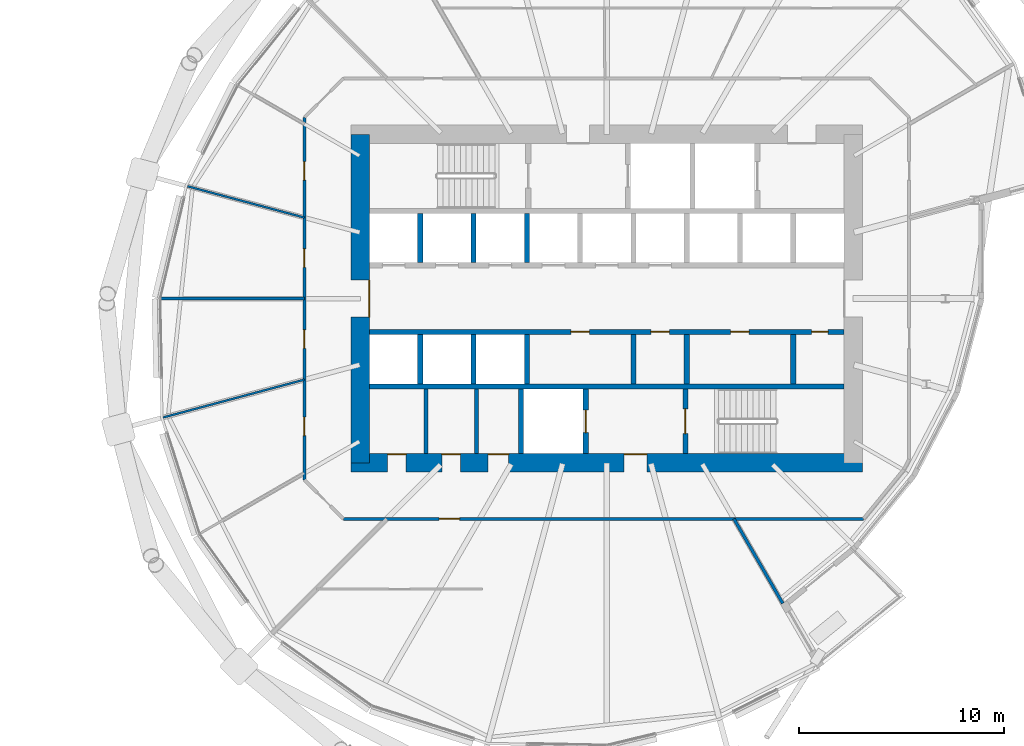
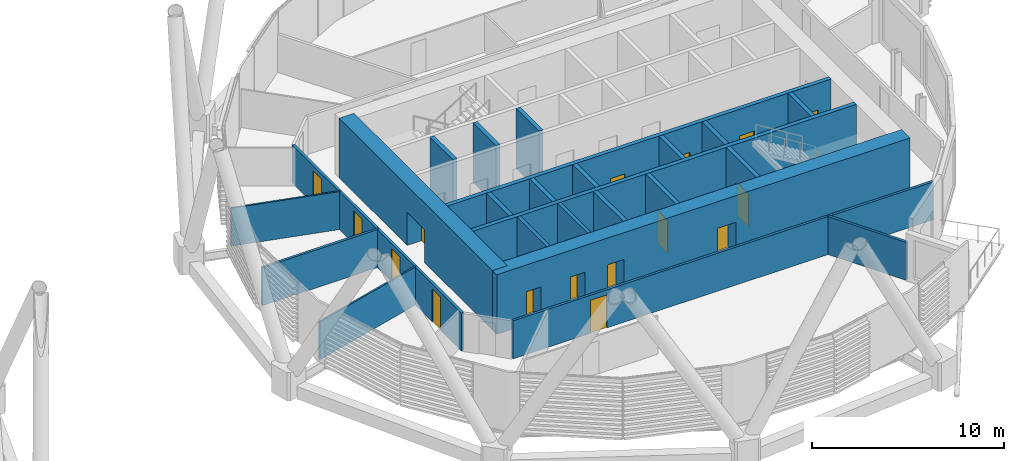
# One storey, part 28 of 40: 24 walls, 16 doors, 16 openings.
"""IFC4 building model written with IfcOpenShell, lengths in metres."""

from ifc_helpers import new_model, si_unit, direction, frame, frame_2d, origin, place, context, subcontext, project, spatial, rectangle, extrude, material, layer, layer_set, type_object, element, fill, save


model = new_model("IFC4")

# Units and contexts
model_context = context("Model", 3, precision=1e-05, world=origin(), true_north=direction((0.0, 1.0)))
body_context = subcontext(model_context, "Body", "Model", "MODEL_VIEW")
ifc_project = project(units=[si_unit("LENGTHUNIT", "METRE"), si_unit("AREAUNIT", "SQUARE_METRE"), si_unit("VOLUMEUNIT", "CUBIC_METRE"), si_unit("PLANEANGLEUNIT", "RADIAN"), si_unit("MASSUNIT", "GRAM", prefix="KILO")], contexts=[model_context])

# Site, building, storey
site_placement = place(None, origin())
site = spatial("IfcSite", under=ifc_project, at=site_placement, CompositionType="ELEMENT")
building_placement = place(site_placement, origin())
building = spatial("IfcBuilding", under=site, at=building_placement, Name="Rimbun Link Towers", CompositionType="ELEMENT")
storey_placement = place(building_placement, frame((0.0, 0.0, 52.800048828125)))
storey = spatial("IfcBuildingStorey", under=building, at=storey_placement, Name="L12", CompositionType="ELEMENT", Elevation=52.800048828125)

# Walls
ifc_material_1 = material(Name="Masonry blockwork", Category="masonry")
ifc_layer_1 = layer(ifc_material_1, 0.199951171875)
ifc_layer_set_1 = layer_set([ifc_layer_1], Name="Core partition 200")
wall_type_1 = type_object("IfcWallType", Name="Core partition 200", PredefinedType="PARTITIONING", material=ifc_layer_set_1)
for number, where, z_axis, x_axis, name in (
    (1, (22.949951171875, -4.39990234375, 0.0), (0.0, 0.0, 1.0), (0.0, -1.0, 0.0), "L12 T2 core wall C1"),
    (2, (25.39990234375, -4.39990234375, 0.0), (0.0, 0.0, 1.0), (0.0, -1.0, 0.0), "L12 T2 core wall C2"),
):
    element("IfcWall", number, at=place(storey_placement, frame(where, z_axis=z_axis, x_axis=x_axis)), inside=storey, type_object=wall_type_1, Name=name, PredefinedType="PARTITIONING", context=body_context, shape_type="SweptSolid", body=[
        extrude(rectangle(XDim=3.150146484375, YDim=0.199951171875, at=frame_2d((1.5751953125, 0.0))), origin(), (0.0, 0.0, 1.0), 3.800048828125),
    ])

# Wall, openings, doors
ifc_material_2 = material(Name="Concrete C60/75", Category="concrete")
ifc_layer_2 = layer(ifc_material_2, 0.89990234375)
ifc_layer_set_2 = layer_set([ifc_layer_2], Name="Core shear wall 900")
wall_type_2 = type_object("IfcWallType", Name="Core shear wall 900", PredefinedType="SHEAR", material=ifc_layer_set_2)
wall_1_placement = place(storey_placement, frame((19.300048828125, -8.0, 0.0), z_axis=(0.0, 0.0, 1.0), x_axis=(1.0, 0.0, 0.0)))
wall_1 = element("IfcWall", 3, at=wall_1_placement, inside=storey, type_object=wall_type_2, Name="L12 T2 core wall S", PredefinedType="SHEAR", context=body_context, shape_type="SweptSolid", body=[
    extrude(rectangle(XDim=24.89990234375, YDim=0.89990234375, at=frame_2d((12.449951171875, 0.0))), origin(), (0.0, 0.0, 1.0), 3.800048828125),
])
opening_1_placement = place(wall_1_placement, frame((13.300048828125, 0.0, 0.0)))
opening_1 = element("IfcOpeningElement", 4, at=opening_1_placement, cuts=wall_1, Name="Opening C2DCF01S", PredefinedType="OPENING", context=body_context, shape_type="SweptSolid", body=[
    extrude(rectangle(XDim=1.10009765625, YDim=2.10009765625, at=frame_2d((0.550048828125, 1.050048828125))), frame((0.0, 0.4599609375, 0.0), z_axis=(0.0, -1.0, 0.0), x_axis=(1.0, 0.0, 0.0)), (0.0, 0.0, 1.0), 0.919921875),
])
opening_2_placement = place(wall_1_placement, frame((1.77490234375, 0.0, 0.0)))
opening_2 = element("IfcOpeningElement", 5, at=opening_2_placement, cuts=wall_1, Name="Opening C2DWC02S", PredefinedType="OPENING", context=body_context, shape_type="SweptSolid", body=[
    extrude(rectangle(XDim=0.89990234375, YDim=2.10009765625, at=frame_2d((0.449951171875, 1.050048828125))), frame((0.0, 0.4599609375, 0.0), z_axis=(0.0, -1.0, 0.0), x_axis=(1.0, 0.0, 0.0)), (0.0, 0.0, 1.0), 0.919921875),
])
opening_3_placement = place(wall_1_placement, frame((4.425048828125, 0.0, 0.0)))
opening_3 = element("IfcOpeningElement", 6, at=opening_3_placement, cuts=wall_1, Name="Opening C2DWC03S", PredefinedType="OPENING", context=body_context, shape_type="SweptSolid", body=[
    extrude(rectangle(XDim=0.89990234375, YDim=2.10009765625, at=frame_2d((0.449951171875, 1.050048828125))), frame((0.0, 0.4599609375, 0.0), z_axis=(0.0, -1.0, 0.0), x_axis=(1.0, 0.0, 0.0)), (0.0, 0.0, 1.0), 0.919921875),
])
opening_4_placement = place(wall_1_placement, frame((6.675048828125, 0.0, 0.0)))
opening_4 = element("IfcOpeningElement", 7, at=opening_4_placement, cuts=wall_1, Name="Opening C2DAW04S", PredefinedType="OPENING", context=body_context, shape_type="SweptSolid", body=[
    extrude(rectangle(XDim=1.0, YDim=2.10009765625, at=frame_2d((0.5, 1.050048828125))), frame((0.0, 0.4599609375, 0.0), z_axis=(0.0, -1.0, 0.0), x_axis=(1.0, 0.0, 0.0)), (0.0, 0.0, 1.0), 0.919921875),
])
ifc_material_3 = material(Name="Timber", Category="wood")
door_type_1 = type_object("IfcDoorType", Name="Accessible WC door", OperationType="SINGLE_SWING_LEFT", PredefinedType="DOOR", material=ifc_material_3)
door_1_placement = place(opening_4_placement, origin())
door_1 = element("IfcDoor", 8, at=door_1_placement, inside=storey, type_object=door_type_1, Name="L12 T2 accessible wc door", OperationType="SINGLE_SWING_RIGHT", OverallHeight=2.10009765625, OverallWidth=1.0, PredefinedType="DOOR", context=body_context, shape_type="SweptSolid", body=[
    extrude(rectangle(XDim=1.0, YDim=2.10009765625, at=frame_2d((0.5, 1.050048828125))), frame((0.0, 0.4501953125, 0.0), z_axis=(0.0, -1.0, 0.0), x_axis=(1.0, 0.0, 0.0)), (0.0, 0.0, 1.0), 0.050048828125),
])
fill(opening_4, door_1)
ifc_material_4 = material(Name="Steel fire door set", Category="steel")
door_type_2 = type_object("IfcDoorType", Name="Core fire door single", OperationType="SINGLE_SWING_LEFT", PredefinedType="DOOR", material=ifc_material_4)
door_2_placement = place(opening_1_placement, origin())
door_2 = element("IfcDoor", 9, at=door_2_placement, inside=storey, type_object=door_type_2, Name="L12 T2 firefighting lobby s door", OperationType="SINGLE_SWING_LEFT", OverallHeight=2.10009765625, OverallWidth=1.10009765625, PredefinedType="DOOR", context=body_context, shape_type="SweptSolid", body=[
    extrude(rectangle(XDim=1.10009765625, YDim=2.10009765625, at=frame_2d((0.550048828125, 1.050048828125))), frame((0.0, 0.4501953125, 0.0), z_axis=(0.0, -1.0, 0.0), x_axis=(1.0, 0.0, 0.0)), (0.0, 0.0, 1.0), 0.050048828125),
])
fill(opening_1, door_2)
ifc_material_5 = material(Name="Timber", Category="wood")
door_type_3 = type_object("IfcDoorType", Name="WC door", OperationType="SINGLE_SWING_LEFT", PredefinedType="DOOR", material=ifc_material_5)
door_3_placement = place(opening_2_placement, origin())
door_3 = element("IfcDoor", 10, at=door_3_placement, inside=storey, type_object=door_type_3, Name="L12 T2 male wc door", OperationType="SINGLE_SWING_RIGHT", OverallHeight=2.10009765625, OverallWidth=0.89990234375, PredefinedType="DOOR", context=body_context, shape_type="SweptSolid", body=[
    extrude(rectangle(XDim=0.89990234375, YDim=2.10009765625, at=frame_2d((0.449951171875, 1.050048828125))), frame((0.0, 0.4501953125, 0.0), z_axis=(0.0, -1.0, 0.0), x_axis=(1.0, 0.0, 0.0)), (0.0, 0.0, 1.0), 0.050048828125),
])
fill(opening_2, door_3)
door_4_placement = place(opening_3_placement, origin())
door_4 = element("IfcDoor", 11, at=door_4_placement, inside=storey, type_object=door_type_3, Name="L12 T2 female wc door", OperationType="SINGLE_SWING_RIGHT", OverallHeight=2.10009765625, OverallWidth=0.89990234375, PredefinedType="DOOR", context=body_context, shape_type="SweptSolid", body=[
    extrude(rectangle(XDim=0.89990234375, YDim=2.10009765625, at=frame_2d((0.449951171875, 1.050048828125))), frame((0.0, 0.4501953125, 0.0), z_axis=(0.0, -1.0, 0.0), x_axis=(1.0, 0.0, 0.0)), (0.0, 0.0, 1.0), 0.050048828125),
])
fill(opening_3, door_4)

# Wall, opening, door
wall_2_placement = place(storey_placement, frame((19.75, -8.0, 0.0), z_axis=(0.0, 0.0, 1.0), x_axis=(0.0, 1.0, 0.0)))
wall_2 = element("IfcWall", 12, at=wall_2_placement, inside=storey, type_object=wall_type_2, Name="L12 T2 core wall W", PredefinedType="SHEAR", context=body_context, shape_type="SweptSolid", body=[
    extrude(rectangle(XDim=16.0, YDim=0.89990234375, at=frame_2d((8.0, 0.0))), origin(), (0.0, 0.0, 1.0), 3.800048828125),
])
opening_5_placement = place(wall_2_placement, frame((7.10009765625, 0.0, 0.0)))
opening_5 = element("IfcOpeningElement", 13, at=opening_5_placement, cuts=wall_2, Name="Opening C2DCL01W", PredefinedType="OPENING", context=body_context, shape_type="SweptSolid", body=[
    extrude(rectangle(XDim=1.800048828125, YDim=2.10009765625, at=frame_2d((0.89990234375, 1.050048828125))), frame((0.0, 0.4599609375, 0.0), z_axis=(0.0, -1.0, 0.0), x_axis=(1.0, 0.0, 0.0)), (0.0, 0.0, 1.0), 0.919921875),
])
ifc_material_6 = material(Name="Steel fire door set", Category="steel")
door_type_4 = type_object("IfcDoorType", Name="Core lobby door double", OperationType="DOUBLE_DOOR_SINGLE_SWING", PredefinedType="DOOR", material=ifc_material_6)
door_5_placement = place(opening_5_placement, origin())
door_5 = element("IfcDoor", 14, at=door_5_placement, inside=storey, type_object=door_type_4, Name="L12 T2 lift lobby door", OperationType="DOUBLE_DOOR_SINGLE_SWING", OverallHeight=2.10009765625, OverallWidth=1.800048828125, PredefinedType="DOOR", context=body_context, shape_type="SweptSolid", body=[
    extrude(rectangle(XDim=1.800048828125, YDim=2.10009765625, at=frame_2d((0.89990234375, 1.050048828125))), frame((0.0, -0.39990234375, 0.0), z_axis=(0.0, -1.0, 0.0), x_axis=(1.0, 0.0, 0.0)), (0.0, 0.0, 1.0), 0.050048828125),
])
fill(opening_5, door_5)

ifc_material_7 = material(Name="Plasterboard on steel stud, mineral wool", Category="steel")
ifc_layer_3 = layer(ifc_material_7, 0.14990234375)
ifc_layer_set_3 = layer_set([ifc_layer_3], Name="Corridor wall EI 30 150 mm")
wall_type_3 = type_object("IfcWallType", Name="Corridor wall EI 30 150 mm", PredefinedType="PARTITIONING", material=ifc_layer_set_3)
wall_3_placement = place(storey_placement, frame((44.248779296875, -10.72509765625, 0.0), z_axis=(0.0, 0.0, 1.0), x_axis=(-1.0, 0.0, 0.0)))
wall_3 = element("IfcWall", 15, at=wall_3_placement, inside=storey, type_object=wall_type_3, Name="Corridor wall EI 30 150 mm", PredefinedType="PARTITIONING", context=body_context, shape_type="SweptSolid", body=[
    extrude(rectangle(XDim=25.325439453125, YDim=0.14990234375, at=frame_2d((12.66259765625, 0.0))), origin(), (0.0, 0.0, 1.0), 2.419921875),
])
opening_6_placement = place(wall_3_placement, frame((19.66845703125, 0.0, 0.0)))
opening_6 = element("IfcOpeningElement", 16, at=opening_6_placement, cuts=wall_3, Name="Opening D01", PredefinedType="OPENING", context=body_context, shape_type="SweptSolid", body=[
    extrude(rectangle(XDim=1.0, YDim=2.10009765625, at=frame_2d((0.5, 1.050048828125))), frame((0.0, 0.0849609375, 0.0), z_axis=(0.0, -1.0, 0.0), x_axis=(1.0, 0.0, 0.0)), (0.0, 0.0, 1.0), 0.169921875),
])
ifc_material_8 = material(Name="Fire-resisting timber door leaf", Category="wood")
door_type_5 = type_object("IfcDoorType", Name="Fire door FD30S 1000", OperationType="NOTDEFINED", PredefinedType="DOOR", material=ifc_material_8)
door_6_placement = place(opening_6_placement, origin())
door_6 = element("IfcDoor", 17, at=door_6_placement, inside=storey, type_object=door_type_5, Name="Fire door FD30S 1000 to Reception", OperationType="SINGLE_SWING_RIGHT", OverallHeight=2.10009765625, OverallWidth=1.0, PredefinedType="DOOR", context=body_context, shape_type="SweptSolid", body=[
    extrude(rectangle(XDim=1.0, YDim=2.10009765625, at=frame_2d((0.5, 1.050048828125))), frame((0.0, 0.02490234375, 0.0), z_axis=(0.0, -1.0, 0.0), x_axis=(1.0, 0.0, 0.0)), (0.0, 0.0, 1.0), 0.050048828125),
])
fill(opening_6, door_6)

# Wall, openings, doors
wall_4_placement = place(storey_placement, frame((17.02490234375, -8.82666015625, 0.0), z_axis=(0.0, 0.0, 1.0), x_axis=(0.0, 1.0, 0.0)))
wall_4 = element("IfcWall", 18, at=wall_4_placement, inside=storey, type_object=wall_type_3, Name="Corridor wall EI 30 150 mm", PredefinedType="PARTITIONING", context=body_context, shape_type="SweptSolid", body=[
    extrude(rectangle(XDim=17.6533203125, YDim=0.14990234375, at=frame_2d((8.82666015625, 0.0))), origin(), (0.0, 0.0, 1.0), 2.419921875),
])
opening_7_placement = place(wall_4_placement, frame((14.60009765625, 0.0, 0.0)))
opening_7 = element("IfcOpeningElement", 19, at=opening_7_placement, cuts=wall_4, Name="Opening D02", PredefinedType="OPENING", context=body_context, shape_type="SweptSolid", body=[
    extrude(rectangle(XDim=0.89990234375, YDim=2.10009765625, at=frame_2d((0.449951171875, 1.050048828125))), frame((0.0, 0.0849609375, 0.0), z_axis=(0.0, -1.0, 0.0), x_axis=(1.0, 0.0, 0.0)), (0.0, 0.0, 1.0), 0.169921875),
])
opening_8_placement = place(wall_4_placement, frame((10.349609375, 0.0, 0.0)))
opening_8 = element("IfcOpeningElement", 20, at=opening_8_placement, cuts=wall_4, Name="Opening D02", PredefinedType="OPENING", context=body_context, shape_type="SweptSolid", body=[
    extrude(rectangle(XDim=0.89990234375, YDim=2.10009765625, at=frame_2d((0.449951171875, 1.050048828125))), frame((0.0, 0.0849609375, 0.0), z_axis=(0.0, -1.0, 0.0), x_axis=(1.0, 0.0, 0.0)), (0.0, 0.0, 1.0), 0.169921875),
])
opening_9_placement = place(wall_4_placement, frame((6.40380859375, 0.0, 0.0)))
opening_9 = element("IfcOpeningElement", 21, at=opening_9_placement, cuts=wall_4, Name="Opening D02", PredefinedType="OPENING", context=body_context, shape_type="SweptSolid", body=[
    extrude(rectangle(XDim=0.89990234375, YDim=2.10009765625, at=frame_2d((0.449951171875, 1.050048828125))), frame((0.0, 0.0849609375, 0.0), z_axis=(0.0, -1.0, 0.0), x_axis=(1.0, 0.0, 0.0)), (0.0, 0.0, 1.0), 0.169921875),
])
opening_10_placement = place(wall_4_placement, frame((2.1533203125, 0.0, 0.0)))
opening_10 = element("IfcOpeningElement", 22, at=opening_10_placement, cuts=wall_4, Name="Opening D02", PredefinedType="OPENING", context=body_context, shape_type="SweptSolid", body=[
    extrude(rectangle(XDim=0.89990234375, YDim=2.10009765625, at=frame_2d((0.449951171875, 1.050048828125))), frame((0.0, 0.0849609375, 0.0), z_axis=(0.0, -1.0, 0.0), x_axis=(1.0, 0.0, 0.0)), (0.0, 0.0, 1.0), 0.169921875),
])
ifc_material_9 = material(Name="Fire-resisting timber door leaf", Category="wood")
door_type_6 = type_object("IfcDoorType", Name="Fire door FD30S 900", OperationType="NOTDEFINED", PredefinedType="DOOR", material=ifc_material_9)
door_7_placement = place(opening_7_placement, origin())
door_7 = element("IfcDoor", 23, at=door_7_placement, inside=storey, type_object=door_type_6, Name="Fire door FD30S 900 to Cellular office", OperationType="SINGLE_SWING_LEFT", OverallHeight=2.10009765625, OverallWidth=0.89990234375, PredefinedType="DOOR", context=body_context, shape_type="SweptSolid", body=[
    extrude(rectangle(XDim=0.89990234375, YDim=2.10009765625, at=frame_2d((0.449951171875, 1.050048828125))), frame((0.0, 0.02490234375, 0.0), z_axis=(0.0, -1.0, 0.0), x_axis=(1.0, 0.0, 0.0)), (0.0, 0.0, 1.0), 0.050048828125),
])
fill(opening_7, door_7)
door_8_placement = place(opening_8_placement, origin())
door_8 = element("IfcDoor", 24, at=door_8_placement, inside=storey, type_object=door_type_6, Name="Fire door FD30S 900 to Meeting room", OperationType="SINGLE_SWING_RIGHT", OverallHeight=2.10009765625, OverallWidth=0.89990234375, PredefinedType="DOOR", context=body_context, shape_type="SweptSolid", body=[
    extrude(rectangle(XDim=0.89990234375, YDim=2.10009765625, at=frame_2d((0.449951171875, 1.050048828125))), frame((0.0, 0.02490234375, 0.0), z_axis=(0.0, -1.0, 0.0), x_axis=(1.0, 0.0, 0.0)), (0.0, 0.0, 1.0), 0.050048828125),
])
fill(opening_8, door_8)
door_9_placement = place(opening_9_placement, origin())
door_9 = element("IfcDoor", 25, at=door_9_placement, inside=storey, type_object=door_type_6, Name="Fire door FD30S 900 to Cellular office", OperationType="SINGLE_SWING_LEFT", OverallHeight=2.10009765625, OverallWidth=0.89990234375, PredefinedType="DOOR", context=body_context, shape_type="SweptSolid", body=[
    extrude(rectangle(XDim=0.89990234375, YDim=2.10009765625, at=frame_2d((0.449951171875, 1.050048828125))), frame((0.0, 0.02490234375, 0.0), z_axis=(0.0, -1.0, 0.0), x_axis=(1.0, 0.0, 0.0)), (0.0, 0.0, 1.0), 0.050048828125),
])
fill(opening_9, door_9)
door_10_placement = place(opening_10_placement, origin())
door_10 = element("IfcDoor", 26, at=door_10_placement, inside=storey, type_object=door_type_6, Name="Fire door FD30S 900 to Meeting room", OperationType="SINGLE_SWING_RIGHT", OverallHeight=2.10009765625, OverallWidth=0.89990234375, PredefinedType="DOOR", context=body_context, shape_type="SweptSolid", body=[
    extrude(rectangle(XDim=0.89990234375, YDim=2.10009765625, at=frame_2d((0.449951171875, 1.050048828125))), frame((0.0, 0.02490234375, 0.0), z_axis=(0.0, -1.0, 0.0), x_axis=(1.0, 0.0, 0.0)), (0.0, 0.0, 1.0), 0.050048828125),
])
fill(opening_10, door_10)

# Walls
ifc_material_10 = material(Name="Plasterboard on steel stud", Category="steel")
ifc_layer_4 = layer(ifc_material_10, 0.10009765625)
ifc_layer_set_4 = layer_set([ifc_layer_4], Name="Plasterboard partition 100 mm")
wall_type_4 = type_object("IfcWallType", Name="Plasterboard partition 100 mm", PredefinedType="PARTITIONING", material=ifc_layer_set_4)
wall_5_placement = place(storey_placement, frame((11.328369140625, 5.471923828125, 0.0), z_axis=(0.0, 0.0, 1.0), x_axis=(0.965926431796, -0.258816785308, 0.0)))
element("IfcWall", 27, at=wall_5_placement, inside=storey, type_object=wall_type_4, Name="Plasterboard partition 100 mm", PredefinedType="PARTITIONING", context=body_context, shape_type="SweptSolid", body=[
    extrude(rectangle(XDim=5.8974609375, YDim=0.10009765625, at=frame_2d((2.94873046875, 0.0))), origin(), (0.0, 0.0, 1.0), 2.419921875),
])
wall_6_placement = place(storey_placement, frame((10.1416015625, -5.789794921875, 0.0), z_axis=(0.0, 0.0, 1.0), x_axis=(0.965930618531, 0.258801159551, 0.0)))
element("IfcWall", 28, at=wall_6_placement, inside=storey, type_object=wall_type_4, Name="Plasterboard partition 100 mm", PredefinedType="PARTITIONING", context=body_context, shape_type="SweptSolid", body=[
    extrude(rectangle(XDim=7.1259765625, YDim=0.10009765625, at=frame_2d((3.56298828125, 0.0))), origin(), (0.0, 0.0, 1.0), 2.419921875),
])
ifc_material_11 = material(Name="Concrete C60/75", Category="concrete")
ifc_layer_5 = layer(ifc_material_11, 0.25)
ifc_layer_set_5 = layer_set([ifc_layer_5], Name="Shaft wall 250")
wall_type_5 = type_object("IfcWallType", Name="Shaft wall 250", PredefinedType="SHEAR", material=ifc_layer_set_5)
wall_7_placement = place(storey_placement, frame((20.199951171875, -4.27490234375, 0.0), z_axis=(0.0, 0.0, 1.0), x_axis=(1.0, 0.0, 0.0)))
element("IfcWall", 29, at=wall_7_placement, inside=storey, type_object=wall_type_5, Name="L12 T2 core wall BS", PredefinedType="SHEAR", context=body_context, shape_type="SweptSolid", body=[
    extrude(rectangle(XDim=23.10009765625, YDim=0.25, at=frame_2d((11.550048828125, 0.0))), origin(), (0.0, 0.0, 1.0), 3.800048828125),
])

# Wall, openings, doors
wall_8_placement = place(storey_placement, frame((20.199951171875, -1.625, 0.0), z_axis=(0.0, 0.0, 1.0), x_axis=(1.0, 0.0, 0.0)))
wall_8 = element("IfcWall", 30, at=wall_8_placement, inside=storey, type_object=wall_type_5, Name="L12 T2 core wall FS", PredefinedType="SHEAR", context=body_context, shape_type="SweptSolid", body=[
    extrude(rectangle(XDim=23.10009765625, YDim=0.25, at=frame_2d((11.550048828125, 0.0))), origin(), (0.0, 0.0, 1.0), 3.800048828125),
])
opening_11_placement = place(wall_8_placement, frame((9.802734375, 0.0, 0.0)))
opening_11 = element("IfcOpeningElement", 31, at=opening_11_placement, cuts=wall_8, Name="Opening C2DRS01FS", PredefinedType="OPENING", context=body_context, shape_type="SweptSolid", body=[
    extrude(rectangle(XDim=0.89990234375, YDim=2.10009765625, at=frame_2d((0.449951171875, 1.050048828125))), frame((0.0, 0.135009765625, 0.0), z_axis=(0.0, -1.0, 0.0), x_axis=(1.0, 0.0, 0.0)), (0.0, 0.0, 1.0), 0.27001953125),
])
opening_12_placement = place(wall_8_placement, frame((13.6943359375, 0.0, 0.0)))
opening_12 = element("IfcOpeningElement", 32, at=opening_12_placement, cuts=wall_8, Name="Opening C2DRS02FS", PredefinedType="OPENING", context=body_context, shape_type="SweptSolid", body=[
    extrude(rectangle(XDim=0.89990234375, YDim=2.10009765625, at=frame_2d((0.449951171875, 1.050048828125))), frame((0.0, 0.135009765625, 0.0), z_axis=(0.0, -1.0, 0.0), x_axis=(1.0, 0.0, 0.0)), (0.0, 0.0, 1.0), 0.27001953125),
])
opening_13_placement = place(wall_8_placement, frame((17.586181640625, 0.0, 0.0)))
opening_13 = element("IfcOpeningElement", 33, at=opening_13_placement, cuts=wall_8, Name="Opening C2DRS03FS", PredefinedType="OPENING", context=body_context, shape_type="SweptSolid", body=[
    extrude(rectangle(XDim=0.89990234375, YDim=2.10009765625, at=frame_2d((0.449951171875, 1.050048828125))), frame((0.0, 0.135009765625, 0.0), z_axis=(0.0, -1.0, 0.0), x_axis=(1.0, 0.0, 0.0)), (0.0, 0.0, 1.0), 0.27001953125),
])
opening_14_placement = place(wall_8_placement, frame((21.52783203125, 0.0, 0.0)))
opening_14 = element("IfcOpeningElement", 34, at=opening_14_placement, cuts=wall_8, Name="Opening C2DRA04FS", PredefinedType="OPENING", context=body_context, shape_type="SweptSolid", body=[
    extrude(rectangle(XDim=0.800048828125, YDim=2.10009765625, at=frame_2d((0.39990234375, 1.050048828125))), frame((0.0, 0.135009765625, 0.0), z_axis=(0.0, -1.0, 0.0), x_axis=(1.0, 0.0, 0.0)), (0.0, 0.0, 1.0), 0.27001953125),
])
ifc_material_12 = material(Name="Steel fire door set", Category="steel")
door_type_7 = type_object("IfcDoorType", Name="Core riser door", OperationType="SINGLE_SWING_LEFT", PredefinedType="DOOR", material=ifc_material_12)
door_11_placement = place(opening_11_placement, origin())
door_11 = element("IfcDoor", 35, at=door_11_placement, inside=storey, type_object=door_type_7, Name="L12 T2 mail room door", OperationType="SINGLE_SWING_LEFT", OverallHeight=2.10009765625, OverallWidth=0.89990234375, PredefinedType="DOOR", context=body_context, shape_type="SweptSolid", body=[
    extrude(rectangle(XDim=0.89990234375, YDim=2.10009765625, at=frame_2d((0.449951171875, 1.050048828125))), frame((0.0, 0.02490234375, 0.0), z_axis=(0.0, -1.0, 0.0), x_axis=(1.0, 0.0, 0.0)), (0.0, 0.0, 1.0), 0.050048828125),
])
fill(opening_11, door_11)
door_12_placement = place(opening_12_placement, origin())
door_12 = element("IfcDoor", 36, at=door_12_placement, inside=storey, type_object=door_type_7, Name="L12 T2 it cupboard door", OperationType="SINGLE_SWING_LEFT", OverallHeight=2.10009765625, OverallWidth=0.89990234375, PredefinedType="DOOR", context=body_context, shape_type="SweptSolid", body=[
    extrude(rectangle(XDim=0.89990234375, YDim=2.10009765625, at=frame_2d((0.449951171875, 1.050048828125))), frame((0.0, 0.02490234375, 0.0), z_axis=(0.0, -1.0, 0.0), x_axis=(1.0, 0.0, 0.0)), (0.0, 0.0, 1.0), 0.050048828125),
])
fill(opening_12, door_12)
door_13_placement = place(opening_13_placement, origin())
door_13 = element("IfcDoor", 37, at=door_13_placement, inside=storey, type_object=door_type_7, Name="L12 T2 pantry door", OperationType="SINGLE_SWING_LEFT", OverallHeight=2.10009765625, OverallWidth=0.89990234375, PredefinedType="DOOR", context=body_context, shape_type="SweptSolid", body=[
    extrude(rectangle(XDim=0.89990234375, YDim=2.10009765625, at=frame_2d((0.449951171875, 1.050048828125))), frame((0.0, 0.02490234375, 0.0), z_axis=(0.0, -1.0, 0.0), x_axis=(1.0, 0.0, 0.0)), (0.0, 0.0, 1.0), 0.050048828125),
])
fill(opening_13, door_13)
ifc_material_13 = material(Name="Steel fire door set", Category="steel")
door_type_8 = type_object("IfcDoorType", Name="Riser access door 800 x 2100", OperationType="SINGLE_SWING_LEFT", PredefinedType="DOOR", material=ifc_material_13)
door_14_placement = place(opening_14_placement, origin())
door_14 = element("IfcDoor", 38, at=door_14_placement, inside=storey, type_object=door_type_8, Name="L12 T2 riser cupboard door", OperationType="SINGLE_SWING_RIGHT", OverallHeight=2.10009765625, OverallWidth=0.800048828125, PredefinedType="DOOR", context=body_context, shape_type="SweptSolid", body=[
    extrude(rectangle(XDim=0.800048828125, YDim=2.10009765625, at=frame_2d((0.39990234375, 1.050048828125))), frame((0.0, 0.02490234375, 0.0), z_axis=(0.0, -1.0, 0.0), x_axis=(1.0, 0.0, 0.0)), (0.0, 0.0, 1.0), 0.050048828125),
])
fill(opening_14, door_14)

# Walls
for number, where, z_axis, x_axis, name in (
    (39, (22.66943359375, 1.75, 0.0), (0.0, 0.0, 1.0), (0.0, 1.0, 0.0), "L12 T2 core wall DN0"),
    (40, (25.263916015625, 1.75, 0.0), (0.0, 0.0, 1.0), (0.0, 1.0, 0.0), "L12 T2 core wall DN1"),
    (41, (27.8583984375, 1.75, 0.0), (0.0, 0.0, 1.0), (0.0, 1.0, 0.0), "L12 T2 core wall DN2"),
    (42, (22.66943359375, -4.14990234375, 0.0), (0.0, 0.0, 1.0), (0.0, 1.0, 0.0), "L12 T2 core wall DS0"),
    (43, (25.263916015625, -4.14990234375, 0.0), (0.0, 0.0, 1.0), (0.0, 1.0, 0.0), "L12 T2 core wall DS1"),
    (44, (27.8583984375, -4.14990234375, 0.0), (0.0, 0.0, 1.0), (0.0, 1.0, 0.0), "L12 T2 core wall DS2"),
    (45, (33.047119140625, -4.14990234375, 0.0), (0.0, 0.0, 1.0), (0.0, 1.0, 0.0), "L12 T2 core wall DS4"),
    (46, (35.6416015625, -4.14990234375, 0.0), (0.0, 0.0, 1.0), (0.0, 1.0, 0.0), "L12 T2 core wall DS5"),
    (47, (40.83056640625, -4.14990234375, 0.0), (0.0, 0.0, 1.0), (0.0, 1.0, 0.0), "L12 T2 core wall DS7"),
):
    element("IfcWall", number, at=place(storey_placement, frame(where, z_axis=z_axis, x_axis=x_axis)), inside=storey, type_object=wall_type_5, Name=name, PredefinedType="SHEAR", context=body_context, shape_type="SweptSolid", body=[
        extrude(rectangle(XDim=2.39990234375, YDim=0.25, at=frame_2d((1.199951171875, 0.0))), origin(), (0.0, 0.0, 1.0), 3.800048828125),
    ])

# Wall, opening, door
wall_9_placement = place(storey_placement, frame((35.574951171875, -4.39990234375, 0.0), z_axis=(0.0, 0.0, 1.0), x_axis=(0.0, -1.0, 0.0)))
wall_9 = element("IfcWall", 48, at=wall_9_placement, inside=storey, type_object=wall_type_5, Name="L12 T2 core wall B1", PredefinedType="SHEAR", context=body_context, shape_type="SweptSolid", body=[
    extrude(rectangle(XDim=3.150146484375, YDim=0.25, at=frame_2d((1.5751953125, 0.0))), origin(), (0.0, 0.0, 1.0), 3.800048828125),
])
opening_15_placement = place(wall_9_placement, frame((0.97509765625, 0.0, 0.0)))
opening_15 = element("IfcOpeningElement", 49, at=opening_15_placement, cuts=wall_9, Name="Opening C2DST01B1", PredefinedType="OPENING", context=body_context, shape_type="SweptSolid", body=[
    extrude(rectangle(XDim=1.199951171875, YDim=2.10009765625, at=frame_2d((0.60009765625, 1.050048828125))), frame((0.0, 0.135009765625, 0.0), z_axis=(0.0, -1.0, 0.0), x_axis=(1.0, 0.0, 0.0)), (0.0, 0.0, 1.0), 0.27001953125),
])
ifc_material_14 = material(Name="Steel fire door set", Category="steel")
door_type_9 = type_object("IfcDoorType", Name="Stair door", OperationType="SINGLE_SWING_LEFT", PredefinedType="DOOR", material=ifc_material_14)
door_15_placement = place(opening_15_placement, origin())
door_15 = element("IfcDoor", 50, at=door_15_placement, inside=storey, type_object=door_type_9, Name="L12 T2 stair b door", OperationType="SINGLE_SWING_RIGHT", OverallHeight=2.10009765625, OverallWidth=1.199951171875, PredefinedType="DOOR", context=body_context, shape_type="SweptSolid", body=[
    extrude(rectangle(XDim=1.199951171875, YDim=2.10009765625, at=frame_2d((0.60009765625, 1.050048828125))), frame((0.0, 0.02490234375, 0.0), z_axis=(0.0, -1.0, 0.0), x_axis=(1.0, 0.0, 0.0)), (0.0, 0.0, 1.0), 0.050048828125),
])
fill(opening_15, door_15)

wall_10_placement = place(storey_placement, frame((30.72509765625, -4.39990234375, 0.0), z_axis=(0.0, 0.0, 1.0), x_axis=(0.0, -1.0, 0.0)))
wall_10 = element("IfcWall", 51, at=wall_10_placement, inside=storey, type_object=wall_type_5, Name="L12 T2 core wall B2", PredefinedType="SHEAR", context=body_context, shape_type="SweptSolid", body=[
    extrude(rectangle(XDim=3.150146484375, YDim=0.25, at=frame_2d((1.5751953125, 0.0))), origin(), (0.0, 0.0, 1.0), 3.800048828125),
])
opening_16_placement = place(wall_10_placement, frame((1.02490234375, 0.0, 0.0)))
opening_16 = element("IfcOpeningElement", 52, at=opening_16_placement, cuts=wall_10, Name="Opening LD-T2-FF2", PredefinedType="OPENING", context=body_context, shape_type="SweptSolid", body=[
    extrude(rectangle(XDim=1.10009765625, YDim=2.10009765625, at=frame_2d((0.550048828125, 1.050048828125))), frame((0.0, 0.135009765625, 0.0), z_axis=(0.0, -1.0, 0.0), x_axis=(1.0, 0.0, 0.0)), (0.0, 0.0, 1.0), 0.27001953125),
])
ifc_material_15 = material(Name="Stainless steel grade 316", Category="steel")
door_type_10 = type_object("IfcDoorType", Name="Lift landing door", OperationType="DOUBLE_DOOR_SLIDING", PredefinedType="DOOR", material=ifc_material_15)
door_16_placement = place(opening_16_placement, origin())
door_16 = element("IfcDoor", 53, at=door_16_placement, inside=storey, type_object=door_type_10, Name="L12 T2 lift FF2 landing door", OperationType="DOUBLE_DOOR_SLIDING", OverallHeight=2.10009765625, OverallWidth=1.10009765625, PredefinedType="DOOR", context=body_context, shape_type="SweptSolid", body=[
    extrude(rectangle(XDim=1.10009765625, YDim=2.10009765625, at=frame_2d((0.550048828125, 1.050048828125))), frame((0.0, 0.02490234375, 0.0), z_axis=(0.0, -1.0, 0.0), x_axis=(1.0, 0.0, 0.0)), (0.0, 0.0, 1.0), 0.050048828125),
])
fill(opening_16, door_16)

# Walls
wall_11_placement = place(storey_placement, frame((27.574951171875, -4.39990234375, 0.0), z_axis=(0.0, 0.0, 1.0), x_axis=(0.0, -1.0, 0.0)))
element("IfcWall", 54, at=wall_11_placement, inside=storey, type_object=wall_type_5, Name="L12 T2 core wall B3", PredefinedType="SHEAR", context=body_context, shape_type="SweptSolid", body=[
    extrude(rectangle(XDim=3.150146484375, YDim=0.25, at=frame_2d((1.5751953125, 0.0))), origin(), (0.0, 0.0, 1.0), 3.800048828125),
])
ifc_material_16 = material(Name="Plasterboard on steel stud, mineral wool", Category="steel")
ifc_layer_6 = layer(ifc_material_16, 0.14990234375)
ifc_layer_set_6 = layer_set([ifc_layer_6], Name="Tenancy separation wall EI 60 150 mm")
wall_type_6 = type_object("IfcWallType", Name="Tenancy separation wall EI 60 150 mm", PredefinedType="PARTITIONING", material=ifc_layer_set_6)
wall_12_placement = place(storey_placement, frame((17.02490234375, 0.0, 0.0), z_axis=(0.0, 0.0, 1.0), x_axis=(-1.0, 0.0, 0.0)))
element("IfcWall", 55, at=wall_12_placement, inside=storey, type_object=wall_type_6, Name="Tenancy separation wall EI 60 150 mm", PredefinedType="PARTITIONING", context=body_context, shape_type="SweptSolid", body=[
    extrude(rectangle(XDim=7.005126953125, YDim=0.14990234375, at=frame_2d((3.50244140625, 0.0))), origin(), (0.0, 0.0, 1.0), 2.419921875),
])
wall_13_placement = place(storey_placement, frame((37.942138671875, -10.72509765625, 0.0), z_axis=(0.0, 0.0, 1.0), x_axis=(0.500020158073, -0.866013765203, 0.0)))
element("IfcWall", 56, at=wall_13_placement, inside=storey, type_object=wall_type_6, Name="Tenancy separation wall EI 60 150 mm", PredefinedType="PARTITIONING", context=body_context, shape_type="SweptSolid", body=[
    extrude(rectangle(XDim=4.756103515625, YDim=0.14990234375, at=frame_2d((2.3779296875, 0.0))), origin(), (0.0, 0.0, 1.0), 2.419921875),
])

save(model, "model.ifc")
